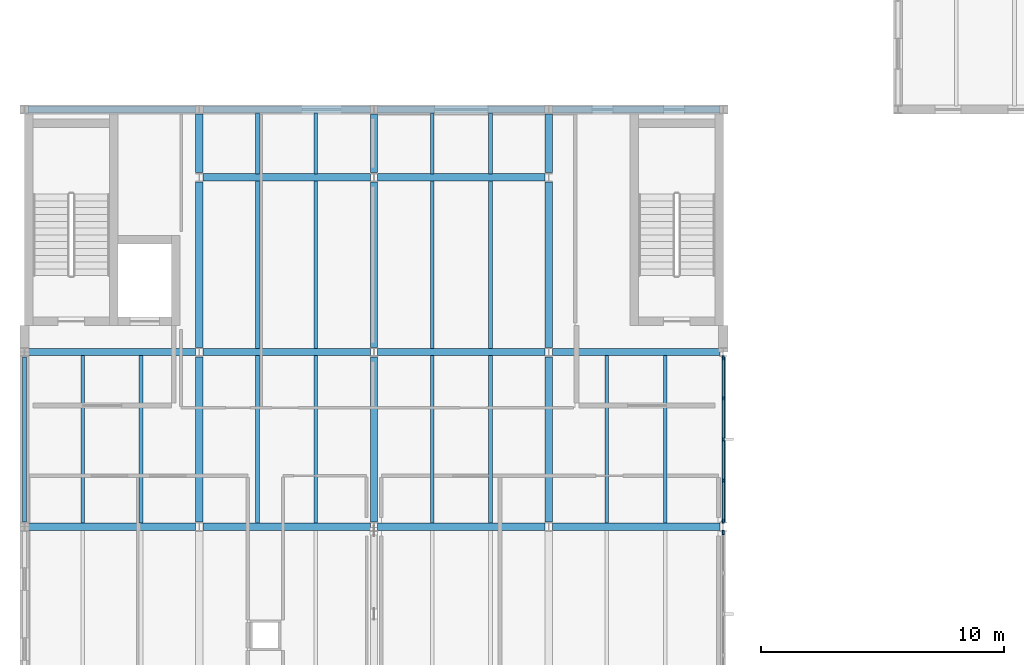
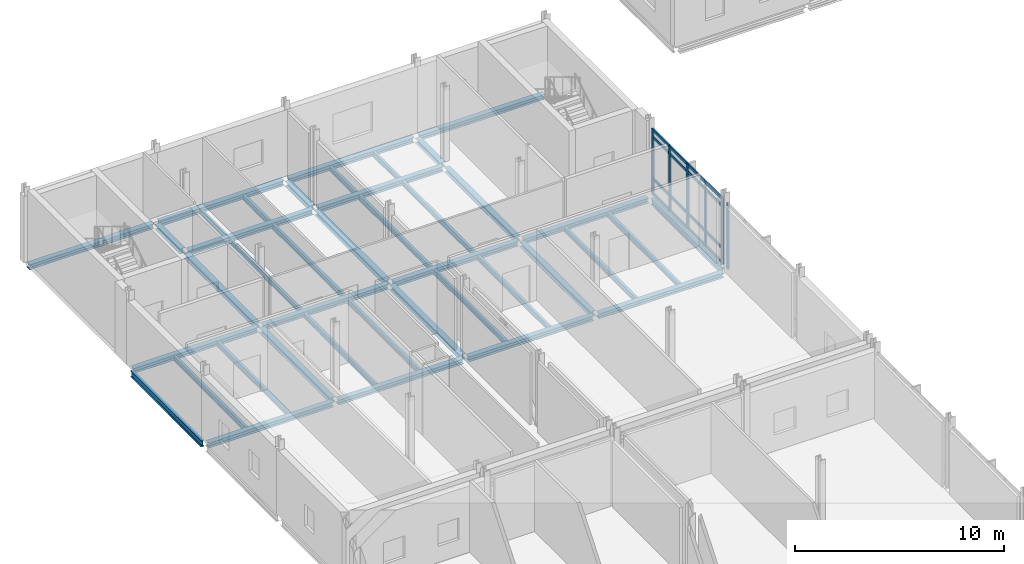
# One storey, part 26 of 76: 41 beams, 22 members, 2 elements without a shape of their own.
"""IFC4 building model written with IfcOpenShell, lengths in metres."""

from ifc_helpers import new_model, si_unit, direction, frame, origin, origin_2d, place, context, subcontext, project, spatial, rectangle, i_section, extrude, material, layer, layer_set, material_profile, profile_set, type_object, element, aggregate, save


model = new_model("IFC4")

# Units and contexts
model_context = context("Model", 3, precision=1e-05, world=origin(), true_north=direction((0.0, 1.0)))
body_context = subcontext(model_context, "Body", "Model", "MODEL_VIEW")
ifc_project = project(units=[si_unit("LENGTHUNIT", "METRE"), si_unit("AREAUNIT", "SQUARE_METRE"), si_unit("VOLUMEUNIT", "CUBIC_METRE"), si_unit("PLANEANGLEUNIT", "RADIAN"), si_unit("MASSUNIT", "GRAM", prefix="KILO")], contexts=[model_context])

# Site, building, storey
site_placement = place(None, origin())
site = spatial("IfcSite", under=ifc_project, at=site_placement, CompositionType="ELEMENT")
building_placement = place(site_placement, origin())
building = spatial("IfcBuilding", under=site, at=building_placement, Name="Zarrinpeak Specialist Clinic", CompositionType="ELEMENT")
storey_placement = place(building_placement, frame((0.0, 0.0, 5.199951171875)))
storey = spatial("IfcBuildingStorey", under=building, at=storey_placement, Name="L01", CompositionType="ELEMENT", Elevation=5.199951171875)

# Beams
ifc_material_1 = material(Name="Steel S355", Category="steel")
ifc_material_profile_1 = material_profile(ifc_material_1, i_section(OverallWidth=0.300048828125, OverallDepth=0.2900390625, WebThickness=0.008544921875, FlangeThickness=0.013916015625, FilletRadius=0.027099609375, at=origin_2d()), Name="HEA 300")
ifc_profile_set_1 = profile_set([ifc_material_profile_1], Name="Steel S355")
beam_type_1 = type_object("IfcBeamType", Name="BM-HEA300", PredefinedType="BEAM", material=ifc_profile_set_1)
for number, where, z_axis, x_axis, name in (
    (1, (0.14794921875, 64.800048828125, -0.405029296875), (1.0, 0.0, 0.0), (0.0, 1.0, 0.0), "L01 Primary Floor Girder BM-L01-X0791"),
    (2, (7.347900390625, 64.800048828125, -0.405029296875), (1.0, 0.0, 0.0), (0.0, 1.0, 0.0), "L01 Primary Floor Girder BM-L01-X0792"),
):
    element("IfcBeam", number, at=place(storey_placement, frame(where, z_axis=z_axis, x_axis=x_axis)), inside=storey, type_object=beam_type_1, Name=name, PredefinedType="BEAM", context=body_context, shape_type="SweptSolid", body=[
        extrude(i_section(OverallWidth=0.300048828125, OverallDepth=0.2900390625, WebThickness=0.008544921875, FlangeThickness=0.013916015625, FilletRadius=0.027099609375, at=origin_2d()), origin(), (0.0, 0.0, 1.0), 6.904052734375),
    ])
beam_1_placement = place(storey_placement, frame((14.548095703125, 64.800048828125, -0.405029296875), z_axis=(1.0, 0.0, 0.0), x_axis=(0.0, 1.0, 0.0)))
element("IfcBeam", 3, at=beam_1_placement, inside=storey, type_object=beam_type_1, Name="L01 Primary Floor Girder BM-L01-X0793", PredefinedType="BEAM", context=body_context, shape_type="SweptSolid", body=[
    extrude(i_section(OverallWidth=0.300048828125, OverallDepth=0.2900390625, WebThickness=0.008544921875, FlangeThickness=0.013916015625, FilletRadius=0.027099609375, at=origin_2d()), origin(), (0.0, 0.0, 1.0), 6.90380859375),
])
for number, where, z_axis, x_axis, name in (
    (4, (21.748046875, 64.800048828125, -0.405029296875), (1.0, 0.0, 0.0), (0.0, 1.0, 0.0), "L01 Primary Floor Girder BM-L01-X0794"),
    (5, (0.14794921875, 72.0, -0.405029296875), (1.0, 0.0, 0.0), (0.0, 1.0, 0.0), "L01 Primary Floor Girder BM-L01-X0797"),
    (6, (7.347900390625, 72.0, -0.405029296875), (1.0, 0.0, 0.0), (0.0, 1.0, 0.0), "L01 Primary Floor Girder BM-L01-X0798"),
):
    element("IfcBeam", number, at=place(storey_placement, frame(where, z_axis=z_axis, x_axis=x_axis)), inside=storey, type_object=beam_type_1, Name=name, PredefinedType="BEAM", context=body_context, shape_type="SweptSolid", body=[
        extrude(i_section(OverallWidth=0.300048828125, OverallDepth=0.2900390625, WebThickness=0.008544921875, FlangeThickness=0.013916015625, FilletRadius=0.027099609375, at=origin_2d()), origin(), (0.0, 0.0, 1.0), 6.904052734375),
    ])
beam_2_placement = place(storey_placement, frame((14.548095703125, 72.0, -0.405029296875), z_axis=(1.0, 0.0, 0.0), x_axis=(0.0, 1.0, 0.0)))
element("IfcBeam", 7, at=beam_2_placement, inside=storey, type_object=beam_type_1, Name="L01 Primary Floor Girder BM-L01-X0799", PredefinedType="BEAM", context=body_context, shape_type="SweptSolid", body=[
    extrude(i_section(OverallWidth=0.300048828125, OverallDepth=0.2900390625, WebThickness=0.008544921875, FlangeThickness=0.013916015625, FilletRadius=0.027099609375, at=origin_2d()), origin(), (0.0, 0.0, 1.0), 6.90380859375),
])
for number, where, z_axis, x_axis, name in (
    (8, (21.748046875, 72.0, -0.405029296875), (1.0, 0.0, 0.0), (0.0, 1.0, 0.0), "L01 Primary Floor Girder BM-L01-X0800"),
    (9, (7.347900390625, 79.199951171875, -0.405029296875), (1.0, 0.0, 0.0), (0.0, 1.0, 0.0), "L01 Primary Floor Girder BM-L01-X0803"),
):
    element("IfcBeam", number, at=place(storey_placement, frame(where, z_axis=z_axis, x_axis=x_axis)), inside=storey, type_object=beam_type_1, Name=name, PredefinedType="BEAM", context=body_context, shape_type="SweptSolid", body=[
        extrude(i_section(OverallWidth=0.300048828125, OverallDepth=0.2900390625, WebThickness=0.008544921875, FlangeThickness=0.013916015625, FilletRadius=0.027099609375, at=origin_2d()), origin(), (0.0, 0.0, 1.0), 6.904052734375),
    ])
beam_3_placement = place(storey_placement, frame((14.548095703125, 79.199951171875, -0.405029296875), z_axis=(1.0, 0.0, 0.0), x_axis=(0.0, 1.0, 0.0)))
element("IfcBeam", 10, at=beam_3_placement, inside=storey, type_object=beam_type_1, Name="L01 Primary Floor Girder BM-L01-X0804", PredefinedType="BEAM", context=body_context, shape_type="SweptSolid", body=[
    extrude(i_section(OverallWidth=0.300048828125, OverallDepth=0.2900390625, WebThickness=0.008544921875, FlangeThickness=0.013916015625, FilletRadius=0.027099609375, at=origin_2d()), origin(), (0.0, 0.0, 1.0), 6.90380859375),
])
for number, where, z_axis, x_axis, name in (
    (11, (0.14794921875, 82.0, -0.405029296875), (1.0, 0.0, 0.0), (0.0, 1.0, 0.0), "L01 Primary Floor Girder BM-L01-X0805"),
    (12, (7.347900390625, 82.0, -0.405029296875), (1.0, 0.0, 0.0), (0.0, 1.0, 0.0), "L01 Primary Floor Girder BM-L01-X0806"),
):
    element("IfcBeam", number, at=place(storey_placement, frame(where, z_axis=z_axis, x_axis=x_axis)), inside=storey, type_object=beam_type_1, Name=name, PredefinedType="BEAM", context=body_context, shape_type="SweptSolid", body=[
        extrude(i_section(OverallWidth=0.300048828125, OverallDepth=0.2900390625, WebThickness=0.008544921875, FlangeThickness=0.013916015625, FilletRadius=0.027099609375, at=origin_2d()), origin(), (0.0, 0.0, 1.0), 6.904052734375),
    ])
beam_4_placement = place(storey_placement, frame((14.548095703125, 82.0, -0.405029296875), z_axis=(1.0, 0.0, 0.0), x_axis=(0.0, 1.0, 0.0)))
element("IfcBeam", 13, at=beam_4_placement, inside=storey, type_object=beam_type_1, Name="L01 Primary Floor Girder BM-L01-X0807", PredefinedType="BEAM", context=body_context, shape_type="SweptSolid", body=[
    extrude(i_section(OverallWidth=0.300048828125, OverallDepth=0.2900390625, WebThickness=0.008544921875, FlangeThickness=0.013916015625, FilletRadius=0.027099609375, at=origin_2d()), origin(), (0.0, 0.0, 1.0), 6.90380859375),
])
beam_5_placement = place(storey_placement, frame((21.748046875, 82.0, -0.405029296875), z_axis=(1.0, 0.0, 0.0), x_axis=(0.0, 1.0, 0.0)))
element("IfcBeam", 14, at=beam_5_placement, inside=storey, type_object=beam_type_1, Name="L01 Primary Floor Girder BM-L01-X0808", PredefinedType="BEAM", context=body_context, shape_type="SweptSolid", body=[
    extrude(i_section(OverallWidth=0.300048828125, OverallDepth=0.2900390625, WebThickness=0.008544921875, FlangeThickness=0.013916015625, FilletRadius=0.027099609375, at=origin_2d()), origin(), (0.0, 0.0, 1.0), 6.904052734375),
])
for number, where, z_axis, x_axis, name in (
    (15, (7.199951171875, 64.998046875, -0.405029296875), (0.0, 1.0, 0.0), (-1.0, 0.0, 0.0), "L01 Primary Beam BM-L01-Y0847"),
    (16, (7.199951171875, 72.197998046875, -0.405029296875), (0.0, 1.0, 0.0), (-1.0, 0.0, 0.0), "L01 Primary Beam BM-L01-Y0848"),
):
    element("IfcBeam", number, at=place(storey_placement, frame(where, z_axis=z_axis, x_axis=x_axis)), inside=storey, type_object=beam_type_1, Name=name, PredefinedType="BEAM", context=body_context, shape_type="SweptSolid", body=[
        extrude(i_section(OverallWidth=0.300048828125, OverallDepth=0.2900390625, WebThickness=0.008544921875, FlangeThickness=0.013916015625, FilletRadius=0.027099609375, at=origin_2d()), origin(), (0.0, 0.0, 1.0), 6.803955078125),
    ])
beam_6_placement = place(storey_placement, frame((7.199951171875, 79.39794921875, -0.405029296875), z_axis=(0.0, 1.0, 0.0), x_axis=(-1.0, 0.0, 0.0)))
element("IfcBeam", 17, at=beam_6_placement, inside=storey, type_object=beam_type_1, Name="L01 Primary Beam BM-L01-Y0849", PredefinedType="BEAM", context=body_context, shape_type="SweptSolid", body=[
    extrude(i_section(OverallWidth=0.300048828125, OverallDepth=0.2900390625, WebThickness=0.008544921875, FlangeThickness=0.013916015625, FilletRadius=0.027099609375, at=origin_2d()), origin(), (0.0, 0.0, 1.0), 2.404052734375),
])
for number, where, z_axis, x_axis, name in (
    (18, (14.39990234375, 64.998046875, -0.405029296875), (0.0, 1.0, 0.0), (-1.0, 0.0, 0.0), "L01 Primary Beam BM-L01-Y0859"),
    (19, (14.39990234375, 72.197998046875, -0.405029296875), (0.0, 1.0, 0.0), (-1.0, 0.0, 0.0), "L01 Primary Beam BM-L01-Y0860"),
):
    element("IfcBeam", number, at=place(storey_placement, frame(where, z_axis=z_axis, x_axis=x_axis)), inside=storey, type_object=beam_type_1, Name=name, PredefinedType="BEAM", context=body_context, shape_type="SweptSolid", body=[
        extrude(i_section(OverallWidth=0.300048828125, OverallDepth=0.2900390625, WebThickness=0.008544921875, FlangeThickness=0.013916015625, FilletRadius=0.027099609375, at=origin_2d()), origin(), (0.0, 0.0, 1.0), 6.803955078125),
    ])
beam_7_placement = place(storey_placement, frame((14.39990234375, 79.39794921875, -0.405029296875), z_axis=(0.0, 1.0, 0.0), x_axis=(-1.0, 0.0, 0.0)))
element("IfcBeam", 20, at=beam_7_placement, inside=storey, type_object=beam_type_1, Name="L01 Primary Beam BM-L01-Y0861", PredefinedType="BEAM", context=body_context, shape_type="SweptSolid", body=[
    extrude(i_section(OverallWidth=0.300048828125, OverallDepth=0.2900390625, WebThickness=0.008544921875, FlangeThickness=0.013916015625, FilletRadius=0.027099609375, at=origin_2d()), origin(), (0.0, 0.0, 1.0), 2.404052734375),
])
for number, where, z_axis, x_axis, name in (
    (21, (21.60009765625, 64.998046875, -0.405029296875), (0.0, 1.0, 0.0), (-1.0, 0.0, 0.0), "L01 Primary Beam BM-L01-Y0871"),
    (22, (21.60009765625, 72.197998046875, -0.405029296875), (0.0, 1.0, 0.0), (-1.0, 0.0, 0.0), "L01 Primary Beam BM-L01-Y0872"),
):
    element("IfcBeam", number, at=place(storey_placement, frame(where, z_axis=z_axis, x_axis=x_axis)), inside=storey, type_object=beam_type_1, Name=name, PredefinedType="BEAM", context=body_context, shape_type="SweptSolid", body=[
        extrude(i_section(OverallWidth=0.300048828125, OverallDepth=0.2900390625, WebThickness=0.008544921875, FlangeThickness=0.013916015625, FilletRadius=0.027099609375, at=origin_2d()), origin(), (0.0, 0.0, 1.0), 6.803955078125),
    ])
beam_8_placement = place(storey_placement, frame((21.60009765625, 79.39794921875, -0.405029296875), z_axis=(0.0, 1.0, 0.0), x_axis=(-1.0, 0.0, 0.0)))
element("IfcBeam", 23, at=beam_8_placement, inside=storey, type_object=beam_type_1, Name="L01 Primary Beam BM-L01-Y0873", PredefinedType="BEAM", context=body_context, shape_type="SweptSolid", body=[
    extrude(i_section(OverallWidth=0.300048828125, OverallDepth=0.2900390625, WebThickness=0.008544921875, FlangeThickness=0.013916015625, FilletRadius=0.027099609375, at=origin_2d()), origin(), (0.0, 0.0, 1.0), 2.404052734375),
])
ifc_material_profile_2 = material_profile(ifc_material_1, i_section(OverallWidth=0.14990234375, OverallDepth=0.300048828125, WebThickness=0.007080078125, FlangeThickness=0.0107421875, FilletRadius=0.014892578125, at=origin_2d()), Name="IPE 300")
ifc_profile_set_2 = profile_set([ifc_material_profile_2], Name="Steel S355")
beam_type_2 = type_object("IfcBeamType", Name="BM-JST300", PredefinedType="JOIST", material=ifc_profile_set_2)
for number, where, z_axis, x_axis, name in (
    (24, (2.39990234375, 64.947998046875, -0.409912109375), (0.0, 1.0, 0.0), (-1.0, 0.0, 0.0), "L01 Composite Floor Joist JST-L01-1049"),
    (25, (4.800048828125, 64.947998046875, -0.409912109375), (0.0, 1.0, 0.0), (-1.0, 0.0, 0.0), "L01 Composite Floor Joist JST-L01-1050"),
    (26, (9.60009765625, 64.947998046875, -0.409912109375), (0.0, 1.0, 0.0), (-1.0, 0.0, 0.0), "L01 Composite Floor Joist JST-L01-1054"),
    (27, (12.0, 64.947998046875, -0.409912109375), (0.0, 1.0, 0.0), (-1.0, 0.0, 0.0), "L01 Composite Floor Joist JST-L01-1055"),
    (28, (9.60009765625, 72.14794921875, -0.409912109375), (0.0, 1.0, 0.0), (-1.0, 0.0, 0.0), "L01 Composite Floor Joist JST-L01-1056"),
    (29, (12.0, 72.14794921875, -0.409912109375), (0.0, 1.0, 0.0), (-1.0, 0.0, 0.0), "L01 Composite Floor Joist JST-L01-1057"),
):
    element("IfcBeam", number, at=place(storey_placement, frame(where, z_axis=z_axis, x_axis=x_axis)), inside=storey, type_object=beam_type_2, Name=name, PredefinedType="JOIST", context=body_context, shape_type="SweptSolid", body=[
        extrude(i_section(OverallWidth=0.14990234375, OverallDepth=0.300048828125, WebThickness=0.007080078125, FlangeThickness=0.0107421875, FilletRadius=0.014892578125, at=origin_2d()), origin(), (0.0, 0.0, 1.0), 6.904052734375),
    ])
for number, where, z_axis, x_axis, name in (
    (30, (9.60009765625, 79.347900390625, -0.409912109375), (0.0, 1.0, 0.0), (-1.0, 0.0, 0.0), "L01 Composite Floor Joist JST-L01-1058"),
    (31, (12.0, 79.347900390625, -0.409912109375), (0.0, 1.0, 0.0), (-1.0, 0.0, 0.0), "L01 Composite Floor Joist JST-L01-1059"),
):
    element("IfcBeam", number, at=place(storey_placement, frame(where, z_axis=z_axis, x_axis=x_axis)), inside=storey, type_object=beam_type_2, Name=name, PredefinedType="JOIST", context=body_context, shape_type="SweptSolid", body=[
        extrude(i_section(OverallWidth=0.14990234375, OverallDepth=0.300048828125, WebThickness=0.007080078125, FlangeThickness=0.0107421875, FilletRadius=0.014892578125, at=origin_2d()), origin(), (0.0, 0.0, 1.0), 2.504150390625),
    ])
for number, where, z_axis, x_axis, name in (
    (32, (16.800048828125, 64.947998046875, -0.409912109375), (0.0, 1.0, 0.0), (-1.0, 0.0, 0.0), "L01 Composite Floor Joist JST-L01-1064"),
    (33, (19.199951171875, 64.947998046875, -0.409912109375), (0.0, 1.0, 0.0), (-1.0, 0.0, 0.0), "L01 Composite Floor Joist JST-L01-1065"),
    (34, (16.800048828125, 72.14794921875, -0.409912109375), (0.0, 1.0, 0.0), (-1.0, 0.0, 0.0), "L01 Composite Floor Joist JST-L01-1066"),
    (35, (19.199951171875, 72.14794921875, -0.409912109375), (0.0, 1.0, 0.0), (-1.0, 0.0, 0.0), "L01 Composite Floor Joist JST-L01-1067"),
):
    element("IfcBeam", number, at=place(storey_placement, frame(where, z_axis=z_axis, x_axis=x_axis)), inside=storey, type_object=beam_type_2, Name=name, PredefinedType="JOIST", context=body_context, shape_type="SweptSolid", body=[
        extrude(i_section(OverallWidth=0.14990234375, OverallDepth=0.300048828125, WebThickness=0.007080078125, FlangeThickness=0.0107421875, FilletRadius=0.014892578125, at=origin_2d()), origin(), (0.0, 0.0, 1.0), 6.904052734375),
    ])
for number, where, z_axis, x_axis, name in (
    (36, (16.800048828125, 79.347900390625, -0.409912109375), (0.0, 1.0, 0.0), (-1.0, 0.0, 0.0), "L01 Composite Floor Joist JST-L01-1068"),
    (37, (19.199951171875, 79.347900390625, -0.409912109375), (0.0, 1.0, 0.0), (-1.0, 0.0, 0.0), "L01 Composite Floor Joist JST-L01-1069"),
):
    element("IfcBeam", number, at=place(storey_placement, frame(where, z_axis=z_axis, x_axis=x_axis)), inside=storey, type_object=beam_type_2, Name=name, PredefinedType="JOIST", context=body_context, shape_type="SweptSolid", body=[
        extrude(i_section(OverallWidth=0.14990234375, OverallDepth=0.300048828125, WebThickness=0.007080078125, FlangeThickness=0.0107421875, FilletRadius=0.014892578125, at=origin_2d()), origin(), (0.0, 0.0, 1.0), 2.504150390625),
    ])
for number, where, z_axis, x_axis, name in (
    (38, (24.0, 64.947998046875, -0.409912109375), (0.0, 1.0, 0.0), (-1.0, 0.0, 0.0), "L01 Composite Floor Joist JST-L01-1074"),
    (39, (26.39990234375, 64.947998046875, -0.409912109375), (0.0, 1.0, 0.0), (-1.0, 0.0, 0.0), "L01 Composite Floor Joist JST-L01-1075"),
):
    element("IfcBeam", number, at=place(storey_placement, frame(where, z_axis=z_axis, x_axis=x_axis)), inside=storey, type_object=beam_type_2, Name=name, PredefinedType="JOIST", context=body_context, shape_type="SweptSolid", body=[
        extrude(i_section(OverallWidth=0.14990234375, OverallDepth=0.300048828125, WebThickness=0.007080078125, FlangeThickness=0.0107421875, FilletRadius=0.014892578125, at=origin_2d()), origin(), (0.0, 0.0, 1.0), 6.904052734375),
    ])
ifc_material_profile_3 = material_profile(ifc_material_1, i_section(OverallWidth=0.169921875, OverallDepth=0.360107421875, WebThickness=0.008056640625, FlangeThickness=0.0126953125, FilletRadius=0.01806640625, at=origin_2d()), Name="IPE 360")
ifc_profile_set_3 = profile_set([ifc_material_profile_3], Name="Steel S355")
beam_type_3 = type_object("IfcBeamType", Name="BM-SP360", PredefinedType="SPANDREL", material=ifc_profile_set_3)
for number, where, z_axis, x_axis, name in (
    (40, (0.0, 64.998046875, -0.43994140625), (0.0, 1.0, 0.0), (-1.0, 0.0, 0.0), "L01 Perimeter Spandrel Beam BM-L01-Y0837"),
    (41, (28.800048828125, 64.998046875, -0.43994140625), (0.0, 1.0, 0.0), (-1.0, 0.0, 0.0), "L01 Perimeter Spandrel Beam BM-L01-Y0880"),
):
    element("IfcBeam", number, at=place(storey_placement, frame(where, z_axis=z_axis, x_axis=x_axis)), inside=storey, type_object=beam_type_3, Name=name, PredefinedType="SPANDREL", context=body_context, shape_type="SweptSolid", body=[
        extrude(i_section(OverallWidth=0.169921875, OverallDepth=0.360107421875, WebThickness=0.008056640625, FlangeThickness=0.0126953125, FilletRadius=0.01806640625, at=origin_2d()), origin(), (0.0, 0.0, 1.0), 6.803955078125),
    ])

# Curtain wall, member
ifc_material_2 = material(Name="Anodised Aluminium Alloy 6063-T6", Category="aluminium")
ifc_layer = layer(ifc_material_2, 0.179931640625)
ifc_layer_set = layer_set([ifc_layer], Name="Anodised Aluminium Alloy 6063-T6")
curtain_wall_type = type_object("IfcCurtainWallType", Name="CW-COURT", PredefinedType="NOTDEFINED", material=ifc_layer_set)
curtain_wall_1_placement = place(storey_placement, origin())
curtain_wall_1 = element("IfcCurtainWall", 42, at=curtain_wall_1_placement, inside=storey, type_object=curtain_wall_type, Name="L01 V5 Unitised Curtain Wall CW-L01-V5-123", PredefinedType="NOTDEFINED")
ifc_material_profile_4 = material_profile(ifc_material_2, rectangle(XDim=0.074951171875, YDim=0.179931640625, at=origin_2d()), Name="ALU 75x180")
ifc_profile_set_4 = profile_set([ifc_material_profile_4], Name="Anodised Aluminium Alloy 6063-T6")
member_type_1 = type_object("IfcMemberType", Name="CWM-75", PredefinedType="MULLION", material=ifc_profile_set_4)
member_1_placement = place(storey_placement, frame((28.800048828125, 64.5576171875, 0.0), z_axis=(0.0, 0.0, 1.0), x_axis=(-1.0, 0.0, 0.0)))
member_1 = element("IfcMember", 43, at=member_1_placement, type_object=member_type_1, Name="CW-01 mullion 5", PredefinedType="MULLION", context=body_context, shape_type="SweptSolid", body=[
    extrude(rectangle(XDim=0.074951171875, YDim=0.179931640625, at=origin_2d()), origin(), (0.0, 0.0, 1.0), 3.81005859375),
])
aggregate(curtain_wall_1, [member_1])

# Curtain wall, members
curtain_wall_2_placement = place(storey_placement, origin())
curtain_wall_2 = element("IfcCurtainWall", 44, at=curtain_wall_2_placement, inside=storey, type_object=curtain_wall_type, Name="L01 V5 Unitised Curtain Wall CW-L01-V5-124", PredefinedType="NOTDEFINED")
member_2_placement = place(storey_placement, frame((28.800048828125, 65.04248046875, 0.0), z_axis=(0.0, 0.0, 1.0), x_axis=(-1.0, 0.0, 0.0)))
member_2 = element("IfcMember", 45, at=member_2_placement, type_object=member_type_1, Name="CW-01 mullion 1", PredefinedType="MULLION", context=body_context, shape_type="SweptSolid", body=[
    extrude(rectangle(XDim=0.074951171875, YDim=0.179931640625, at=origin_2d()), origin(), (0.0, 0.0, 1.0), 3.81005859375),
])
member_3_placement = place(storey_placement, frame((28.800048828125, 66.702392578125, 0.0), z_axis=(0.0, 0.0, 1.0), x_axis=(-1.0, 0.0, 0.0)))
member_3 = element("IfcMember", 46, at=member_3_placement, type_object=member_type_1, Name="CW-01 mullion 2", PredefinedType="MULLION", context=body_context, shape_type="SweptSolid", body=[
    extrude(rectangle(XDim=0.074951171875, YDim=0.179931640625, at=origin_2d()), origin(), (0.0, 0.0, 1.0), 3.81005859375),
])
member_4_placement = place(storey_placement, frame((28.800048828125, 68.39990234375, 0.0), z_axis=(0.0, 0.0, 1.0), x_axis=(-1.0, 0.0, 0.0)))
member_4 = element("IfcMember", 47, at=member_4_placement, type_object=member_type_1, Name="CW-01 mullion 3", PredefinedType="MULLION", context=body_context, shape_type="SweptSolid", body=[
    extrude(rectangle(XDim=0.074951171875, YDim=0.179931640625, at=origin_2d()), origin(), (0.0, 0.0, 1.0), 3.81005859375),
])
member_5_placement = place(storey_placement, frame((28.800048828125, 70.097412109375, 0.0), z_axis=(0.0, 0.0, 1.0), x_axis=(-1.0, 0.0, 0.0)))
member_5 = element("IfcMember", 48, at=member_5_placement, type_object=member_type_1, Name="CW-01 mullion 4", PredefinedType="MULLION", context=body_context, shape_type="SweptSolid", body=[
    extrude(rectangle(XDim=0.074951171875, YDim=0.179931640625, at=origin_2d()), origin(), (0.0, 0.0, 1.0), 3.81005859375),
])
member_6_placement = place(storey_placement, frame((28.800048828125, 71.757568359375, 0.0), z_axis=(0.0, 0.0, 1.0), x_axis=(-1.0, 0.0, 0.0)))
member_6 = element("IfcMember", 49, at=member_6_placement, type_object=member_type_1, Name="CW-01 mullion 5", PredefinedType="MULLION", context=body_context, shape_type="SweptSolid", body=[
    extrude(rectangle(XDim=0.074951171875, YDim=0.179931640625, at=origin_2d()), origin(), (0.0, 0.0, 1.0), 3.81005859375),
])
ifc_material_profile_5 = material_profile(ifc_material_2, rectangle(XDim=0.074951171875, YDim=0.159912109375, at=origin_2d()), Name="ALU 75x160")
ifc_profile_set_5 = profile_set([ifc_material_profile_5], Name="Anodised Aluminium Alloy 6063-T6")
member_type_2 = type_object("IfcMemberType", Name="CWT-75", PredefinedType="USERDEFINED", material=ifc_profile_set_5)
member_7_placement = place(storey_placement, frame((28.800048828125, 65.080078125, 0.03759765625), z_axis=(0.0, 1.0, 0.0), x_axis=(-1.0, 0.0, 0.0)))
member_7 = element("IfcMember", 50, at=member_7_placement, type_object=member_type_2, Name="CW-01 transom 1.1", ObjectType="TRANSOM", PredefinedType="USERDEFINED", context=body_context, shape_type="SweptSolid", body=[
    extrude(rectangle(XDim=0.074951171875, YDim=0.159912109375, at=origin_2d()), origin(), (0.0, 0.0, 1.0), 1.5849609375),
])
member_8_placement = place(storey_placement, frame((28.800048828125, 65.080078125, 0.900146484375), z_axis=(0.0, 1.0, 0.0), x_axis=(-1.0, 0.0, 0.0)))
member_8 = element("IfcMember", 51, at=member_8_placement, type_object=member_type_2, Name="CW-01 transom 1.2", ObjectType="TRANSOM", PredefinedType="USERDEFINED", context=body_context, shape_type="SweptSolid", body=[
    extrude(rectangle(XDim=0.074951171875, YDim=0.159912109375, at=origin_2d()), origin(), (0.0, 0.0, 1.0), 1.5849609375),
])
member_9_placement = place(storey_placement, frame((28.800048828125, 65.080078125, 3.360107421875), z_axis=(0.0, 1.0, 0.0), x_axis=(-1.0, 0.0, 0.0)))
member_9 = element("IfcMember", 52, at=member_9_placement, type_object=member_type_2, Name="CW-01 transom 1.3", ObjectType="TRANSOM", PredefinedType="USERDEFINED", context=body_context, shape_type="SweptSolid", body=[
    extrude(rectangle(XDim=0.074951171875, YDim=0.159912109375, at=origin_2d()), origin(), (0.0, 0.0, 1.0), 1.5849609375),
])
member_10_placement = place(storey_placement, frame((28.800048828125, 65.080078125, 3.7724609375), z_axis=(0.0, 1.0, 0.0), x_axis=(-1.0, 0.0, 0.0)))
member_10 = element("IfcMember", 53, at=member_10_placement, type_object=member_type_2, Name="CW-01 transom 1.4", ObjectType="TRANSOM", PredefinedType="USERDEFINED", context=body_context, shape_type="SweptSolid", body=[
    extrude(rectangle(XDim=0.074951171875, YDim=0.159912109375, at=origin_2d()), origin(), (0.0, 0.0, 1.0), 1.5849609375),
])
member_11_placement = place(storey_placement, frame((28.800048828125, 66.739990234375, 0.03759765625), z_axis=(0.0, 1.0, 0.0), x_axis=(-1.0, 0.0, 0.0)))
member_11 = element("IfcMember", 54, at=member_11_placement, type_object=member_type_2, Name="CW-01 transom 2.1", ObjectType="TRANSOM", PredefinedType="USERDEFINED", context=body_context, shape_type="SweptSolid", body=[
    extrude(rectangle(XDim=0.074951171875, YDim=0.159912109375, at=origin_2d()), origin(), (0.0, 0.0, 1.0), 1.62255859375),
])
member_12_placement = place(storey_placement, frame((28.800048828125, 66.739990234375, 0.900146484375), z_axis=(0.0, 1.0, 0.0), x_axis=(-1.0, 0.0, 0.0)))
member_12 = element("IfcMember", 55, at=member_12_placement, type_object=member_type_2, Name="CW-01 transom 2.2", ObjectType="TRANSOM", PredefinedType="USERDEFINED", context=body_context, shape_type="SweptSolid", body=[
    extrude(rectangle(XDim=0.074951171875, YDim=0.159912109375, at=origin_2d()), origin(), (0.0, 0.0, 1.0), 1.62255859375),
])
member_13_placement = place(storey_placement, frame((28.800048828125, 66.739990234375, 3.360107421875), z_axis=(0.0, 1.0, 0.0), x_axis=(-1.0, 0.0, 0.0)))
member_13 = element("IfcMember", 56, at=member_13_placement, type_object=member_type_2, Name="CW-01 transom 2.3", ObjectType="TRANSOM", PredefinedType="USERDEFINED", context=body_context, shape_type="SweptSolid", body=[
    extrude(rectangle(XDim=0.074951171875, YDim=0.159912109375, at=origin_2d()), origin(), (0.0, 0.0, 1.0), 1.62255859375),
])
member_14_placement = place(storey_placement, frame((28.800048828125, 66.739990234375, 3.7724609375), z_axis=(0.0, 1.0, 0.0), x_axis=(-1.0, 0.0, 0.0)))
member_14 = element("IfcMember", 57, at=member_14_placement, type_object=member_type_2, Name="CW-01 transom 2.4", ObjectType="TRANSOM", PredefinedType="USERDEFINED", context=body_context, shape_type="SweptSolid", body=[
    extrude(rectangle(XDim=0.074951171875, YDim=0.159912109375, at=origin_2d()), origin(), (0.0, 0.0, 1.0), 1.62255859375),
])
member_15_placement = place(storey_placement, frame((28.800048828125, 68.4375, 0.03759765625), z_axis=(0.0, 1.0, 0.0), x_axis=(-1.0, 0.0, 0.0)))
member_15 = element("IfcMember", 58, at=member_15_placement, type_object=member_type_2, Name="CW-01 transom 3.1", ObjectType="TRANSOM", PredefinedType="USERDEFINED", context=body_context, shape_type="SweptSolid", body=[
    extrude(rectangle(XDim=0.074951171875, YDim=0.159912109375, at=origin_2d()), origin(), (0.0, 0.0, 1.0), 1.62255859375),
])
member_16_placement = place(storey_placement, frame((28.800048828125, 68.4375, 0.900146484375), z_axis=(0.0, 1.0, 0.0), x_axis=(-1.0, 0.0, 0.0)))
member_16 = element("IfcMember", 59, at=member_16_placement, type_object=member_type_2, Name="CW-01 transom 3.2", ObjectType="TRANSOM", PredefinedType="USERDEFINED", context=body_context, shape_type="SweptSolid", body=[
    extrude(rectangle(XDim=0.074951171875, YDim=0.159912109375, at=origin_2d()), origin(), (0.0, 0.0, 1.0), 1.62255859375),
])
member_17_placement = place(storey_placement, frame((28.800048828125, 68.4375, 3.360107421875), z_axis=(0.0, 1.0, 0.0), x_axis=(-1.0, 0.0, 0.0)))
member_17 = element("IfcMember", 60, at=member_17_placement, type_object=member_type_2, Name="CW-01 transom 3.3", ObjectType="TRANSOM", PredefinedType="USERDEFINED", context=body_context, shape_type="SweptSolid", body=[
    extrude(rectangle(XDim=0.074951171875, YDim=0.159912109375, at=origin_2d()), origin(), (0.0, 0.0, 1.0), 1.62255859375),
])
member_18_placement = place(storey_placement, frame((28.800048828125, 68.4375, 3.7724609375), z_axis=(0.0, 1.0, 0.0), x_axis=(-1.0, 0.0, 0.0)))
member_18 = element("IfcMember", 61, at=member_18_placement, type_object=member_type_2, Name="CW-01 transom 3.4", ObjectType="TRANSOM", PredefinedType="USERDEFINED", context=body_context, shape_type="SweptSolid", body=[
    extrude(rectangle(XDim=0.074951171875, YDim=0.159912109375, at=origin_2d()), origin(), (0.0, 0.0, 1.0), 1.62255859375),
])
member_19_placement = place(storey_placement, frame((28.800048828125, 70.135009765625, 0.03759765625), z_axis=(0.0, 1.0, 0.0), x_axis=(-1.0, 0.0, 0.0)))
member_19 = element("IfcMember", 62, at=member_19_placement, type_object=member_type_2, Name="CW-01 transom 4.1", ObjectType="TRANSOM", PredefinedType="USERDEFINED", context=body_context, shape_type="SweptSolid", body=[
    extrude(rectangle(XDim=0.074951171875, YDim=0.159912109375, at=origin_2d()), origin(), (0.0, 0.0, 1.0), 1.5849609375),
])
member_20_placement = place(storey_placement, frame((28.800048828125, 70.135009765625, 0.900146484375), z_axis=(0.0, 1.0, 0.0), x_axis=(-1.0, 0.0, 0.0)))
member_20 = element("IfcMember", 63, at=member_20_placement, type_object=member_type_2, Name="CW-01 transom 4.2", ObjectType="TRANSOM", PredefinedType="USERDEFINED", context=body_context, shape_type="SweptSolid", body=[
    extrude(rectangle(XDim=0.074951171875, YDim=0.159912109375, at=origin_2d()), origin(), (0.0, 0.0, 1.0), 1.5849609375),
])
member_21_placement = place(storey_placement, frame((28.800048828125, 70.135009765625, 3.360107421875), z_axis=(0.0, 1.0, 0.0), x_axis=(-1.0, 0.0, 0.0)))
member_21 = element("IfcMember", 64, at=member_21_placement, type_object=member_type_2, Name="CW-01 transom 4.3", ObjectType="TRANSOM", PredefinedType="USERDEFINED", context=body_context, shape_type="SweptSolid", body=[
    extrude(rectangle(XDim=0.074951171875, YDim=0.159912109375, at=origin_2d()), origin(), (0.0, 0.0, 1.0), 1.5849609375),
])
member_22_placement = place(storey_placement, frame((28.800048828125, 70.135009765625, 3.7724609375), z_axis=(0.0, 1.0, 0.0), x_axis=(-1.0, 0.0, 0.0)))
member_22 = element("IfcMember", 65, at=member_22_placement, type_object=member_type_2, Name="CW-01 transom 4.4", ObjectType="TRANSOM", PredefinedType="USERDEFINED", context=body_context, shape_type="SweptSolid", body=[
    extrude(rectangle(XDim=0.074951171875, YDim=0.159912109375, at=origin_2d()), origin(), (0.0, 0.0, 1.0), 1.5849609375),
])
aggregate(curtain_wall_2, [member_2, member_3, member_4, member_5, member_6, member_7, member_8, member_9, member_10, member_11, member_12, member_13, member_14, member_15, member_16, member_17, member_18, member_19, member_20, member_21, member_22])

save(model, "model.ifc")
